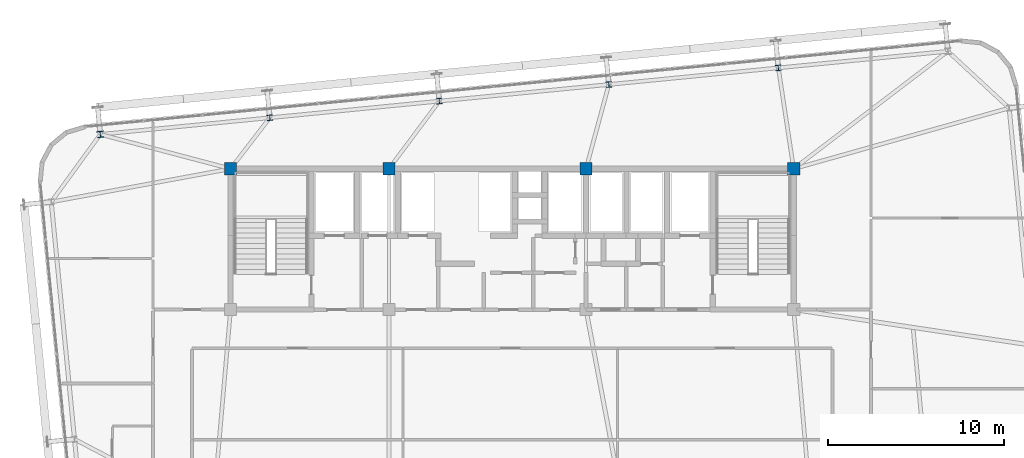
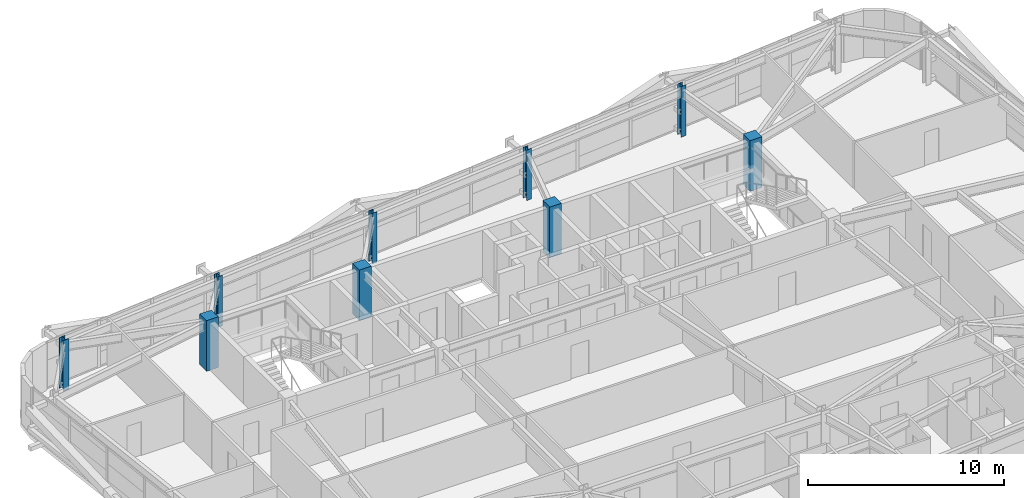
# One storey, part 3 of 54: 9 columns.
"""IFC4 building model written with IfcOpenShell, lengths in metres."""

import ifcopenshell
import ifcopenshell.guid

model = None  # the IFC model being written
_history = None  # IfcOwnerHistory: only IFC2X3 demands one
_inside = {}  # id of a spatial element -> (the spatial element, [elements in it])
_under = {}  # id of a project, library or spatial element -> (it, [spatial elements below it])
_declared = {}  # id of a project -> (the project, [libraries it declares])
_typed = {}  # id of a type object -> (the type object, [elements of that type])
_made_of = {}  # id of a material, layer set ... -> (it, [elements and type objects made of it])


def new_model(schema):
    """Start an empty IFC model of exactly this schema.

    Asked for "IFC4X3", IfcOpenShell would pick the latest addendum, in which some entities
    have other attributes; the version numbers below select the first issue.
    IFC2X3 requires an IfcOwnerHistory on every rooted entity: one is made here for all.
    """
    global model, _history
    if schema == "IFC4X3":
        model = ifcopenshell.file(schema_version=(4, 3, 0, 0))
    else:
        model = ifcopenshell.file(schema=schema)
    _inside.clear()
    _under.clear()
    _declared.clear()
    _typed.clear()
    _made_of.clear()
    _history = None
    if model.schema == "IFC2X3":
        org = make("IfcOrganization", Name="unknown")
        user = make(
            "IfcPersonAndOrganization",
            ThePerson=make("IfcPerson", FamilyName="unknown"),
            TheOrganization=org,
        )
        app = make(
            "IfcApplication",
            ApplicationDeveloper=org,
            Version="unknown",
            ApplicationFullName="unknown",
            ApplicationIdentifier="unknown",
        )
        _history = make(
            "IfcOwnerHistory",
            OwningUser=user,
            OwningApplication=app,
            ChangeAction="ADDED",
            CreationDate=0,
        )
    return model


def make(cls, **values):
    """One entity of the class cls with the attributes given. An attribute that is None is left unset."""
    return model.create_entity(
        cls, **{name: value for name, value in values.items() if value is not None}
    )


def rooted(cls, **values):
    """An entity with a GlobalId (a new one), such as an element, a storey or a relation."""
    return make(cls, GlobalId=ifcopenshell.guid.new(), OwnerHistory=_history, **values)


def si_unit(unit_type, name, prefix=None):
    """IfcSIUnit, for example si_unit("LENGTHUNIT", "METRE", prefix="MILLI")."""
    return make("IfcSIUnit", UnitType=unit_type, Prefix=prefix, Name=name)


def assignment(units):
    """IfcUnitAssignment: the units of a project."""
    return None if units is None else make("IfcUnitAssignment", Units=units)


def point(xyz):
    """IfcCartesianPoint."""
    return None if xyz is None else make("IfcCartesianPoint", Coordinates=xyz)


def direction(xyz):
    """IfcDirection."""
    return None if xyz is None else make("IfcDirection", DirectionRatios=xyz)


def frame(location, z_axis=None, x_axis=None):
    """IfcAxis2Placement3D, a coordinate frame: its origin and axes. An axis left out is left unset."""
    return make(
        "IfcAxis2Placement3D",
        Location=point(location),
        Axis=direction(z_axis),
        RefDirection=direction(x_axis),
    )


def frame_2d(location, x_axis=None):
    """IfcAxis2Placement2D, a coordinate frame in the plane: its origin and x axis."""
    return make(
        "IfcAxis2Placement2D", Location=point(location), RefDirection=direction(x_axis)
    )


def origin():
    """The frame at (0, 0, 0) with its axes left unset."""
    return frame((0.0, 0.0, 0.0))


def origin_2d():
    """The frame at (0, 0) in the plane with its x axis left unset."""
    return frame_2d((0.0, 0.0))


def place(relative_to, where):
    """IfcLocalPlacement: puts the frame where relative to a parent placement (None: the world)."""
    return make(
        "IfcLocalPlacement", PlacementRelTo=relative_to, RelativePlacement=where
    )


def context(
    kind, dimensions, precision=None, world=None, true_north=None, identifier=None
):
    """IfcGeometricRepresentationContext, for example the 3D "Model" context."""
    return make(
        "IfcGeometricRepresentationContext",
        ContextIdentifier=identifier,
        ContextType=kind,
        CoordinateSpaceDimension=dimensions,
        Precision=precision,
        WorldCoordinateSystem=world,
        TrueNorth=true_north,
    )


def subcontext(parent, identifier, kind, view, scale=None):
    """IfcGeometricRepresentationSubContext, for example "Body" below "Model"."""
    return make(
        "IfcGeometricRepresentationSubContext",
        ContextIdentifier=identifier,
        ContextType=kind,
        ParentContext=parent,
        TargetScale=scale,
        TargetView=view,
    )


def project(units=None, contexts=None):
    """IfcProject with its units and contexts."""
    return rooted(
        "IfcProject",
        Name="project",
        RepresentationContexts=contexts,
        UnitsInContext=assignment(units),
    )


def spatial(cls, under=None, at=None, **own):
    """A site, building, storey or space (cls), placed at a placement, below another one or the project."""
    s = rooted(cls, ObjectPlacement=at, **own)
    if under is not None:
        _under.setdefault(under.id(), (under, []))[1].append(s)
    return s


def profile(cls, at=None, kind="AREA", **sizes):
    """A parametric profile (cls). Its sizes go by their IFC names, for example OverallWidth=200.0."""
    return make(cls, ProfileType=kind, Position=at, **sizes)


def rectangle(**sizes):
    """IfcRectangleProfileDef."""
    return profile("IfcRectangleProfileDef", **sizes)


def i_section(**sizes):
    """IfcIShapeProfileDef."""
    return profile("IfcIShapeProfileDef", **sizes)


def extrude(swept, where, along, depth):
    """IfcExtrudedAreaSolid: the profile swept, set in the frame where, extruded along a direction by depth."""
    return make(
        "IfcExtrudedAreaSolid",
        SweptArea=swept,
        Position=where,
        ExtrudedDirection=direction(along),
        Depth=depth,
    )


def shape(context_of_items, identifier, shape_type, items):
    """IfcShapeRepresentation: the items that make up one representation, for example the "Body"."""
    return make(
        "IfcShapeRepresentation",
        ContextOfItems=context_of_items,
        RepresentationIdentifier=identifier,
        RepresentationType=shape_type,
        Items=items,
    )


def source(mapping_origin, context_of_items, identifier, shape_type, items):
    """IfcRepresentationMap: a shape defined once, which mapped items show again and again."""
    return make(
        "IfcRepresentationMap",
        MappingOrigin=mapping_origin,
        MappedRepresentation=shape(context_of_items, identifier, shape_type, items),
    )


def transform(
    local_origin,
    x_axis=None,
    y_axis=None,
    z_axis=None,
    scale=None,
    scale2=None,
    scale3=None,
    uniform=True,
):
    """IfcCartesianTransformationOperator3D, or its non-uniform kind. x_axis, y_axis, z_axis: its Axis1, 2, 3."""
    if uniform:
        return make(
            "IfcCartesianTransformationOperator3D",
            Axis1=direction(x_axis),
            Axis2=direction(y_axis),
            LocalOrigin=point(local_origin),
            Scale=scale,
            Axis3=direction(z_axis),
        )
    return make(
        "IfcCartesianTransformationOperator3DnonUniform",
        Axis1=direction(x_axis),
        Axis2=direction(y_axis),
        LocalOrigin=point(local_origin),
        Scale=scale,
        Axis3=direction(z_axis),
        Scale2=scale2,
        Scale3=scale3,
    )


def mapped(mapping_source, mapping_target):
    """IfcMappedItem: shows the shape of a source again, moved by a transform."""
    return make(
        "IfcMappedItem", MappingSource=mapping_source, MappingTarget=mapping_target
    )


def material(Name=None, Category=None):
    """IfcMaterial."""
    return make("IfcMaterial", Name=Name, Category=Category)


def material_profile(
    of_material, cross_section, Name=None, Category=None, Priority=None
):
    """IfcMaterialProfile: a cross section and its material."""
    return make(
        "IfcMaterialProfile",
        Name=Name,
        Material=of_material,
        Profile=cross_section,
        Priority=Priority,
        Category=Category,
    )


def profile_set(profiles, Name=None, composite=None):
    """IfcMaterialProfileSet."""
    return make(
        "IfcMaterialProfileSet",
        Name=Name,
        MaterialProfiles=profiles,
        CompositeProfile=composite,
    )


def made_of(thing, what):
    """Note that an element or type object is made of a material, layer set ...; save() writes the relation."""
    if what is not None:
        _made_of.setdefault(what.id(), (what, []))[1].append(thing)
    return thing


def type_object(cls, material=None, **own):
    """A type object (cls), such as IfcWallType, which elements share."""
    return made_of(rooted(cls, **own), material)


def element(
    cls,
    number,
    at=None,
    inside=None,
    cuts=None,
    type_object=None,
    material=None,
    context=None,
    identifier="Body",
    shape_type=None,
    held_by="IfcProductDefinitionShape",
    body=None,
    shapes=None,
    **own,
):
    """One element of the class cls, such as IfcWall. Its Tag is "e" and its number.

    at: its placement. inside: the storey or other place that contains it. cuts: it is an
    opening in that element (IfcRelVoidsElement). A single representation is given by context,
    identifier, shape_type and body (its items); several are given by shapes. held_by: the class
    of the entity that holds the representations. save() writes the other relations.
    """
    e = rooted(cls, Tag="e%d" % number, ObjectPlacement=at, **own)
    if body is not None:
        shapes = [shape(context, identifier, shape_type, body)]
    if shapes is not None:
        e.Representation = make(held_by, Representations=shapes)
    if inside is not None:
        _inside.setdefault(inside.id(), (inside, []))[1].append(e)
    if cuts is not None:
        rooted(
            "IfcRelVoidsElement", RelatingBuildingElement=cuts, RelatedOpeningElement=e
        )
    if type_object is not None:
        _typed.setdefault(type_object.id(), (type_object, []))[1].append(e)
    return made_of(e, material)


def aggregate(whole, parts):
    """IfcRelAggregates: a whole, such as a stair, and the parts it consists of."""
    return rooted("IfcRelAggregates", RelatingObject=whole, RelatedObjects=parts)


def save(model, path):
    """Write the relations noted so far, then the file.

    IfcRelAggregates (storeys below a building ...), IfcRelContainedInSpatialStructure (elements
    in a storey), IfcRelDefinesByType, IfcRelAssociatesMaterial and IfcRelDeclares: one each for
    every whole, place, type object, material and project.
    """
    for whole, parts in _under.values():
        aggregate(whole, parts)
    for where, things in _inside.values():
        rooted(
            "IfcRelContainedInSpatialStructure",
            RelatedElements=things,
            RelatingStructure=where,
        )
    for kind, things in _typed.values():
        rooted("IfcRelDefinesByType", RelatedObjects=things, RelatingType=kind)
    for what, things in _made_of.values():
        rooted("IfcRelAssociatesMaterial", RelatedObjects=things, RelatingMaterial=what)
    for by, libraries in _declared.values():
        rooted("IfcRelDeclares", RelatingContext=by, RelatedDefinitions=libraries)
    model.write(path)


model = new_model("IFC4")

# Units and contexts
model_context = context("Model", 3, precision=1e-05, world=origin(), true_north=direction((0.0, 1.0)))
body_context = subcontext(model_context, "Body", "Model", "MODEL_VIEW")
ifc_project = project(units=[si_unit("LENGTHUNIT", "METRE"), si_unit("AREAUNIT", "SQUARE_METRE"), si_unit("VOLUMEUNIT", "CUBIC_METRE"), si_unit("PLANEANGLEUNIT", "RADIAN"), si_unit("MASSUNIT", "GRAM", prefix="KILO")], contexts=[model_context])

# Site, building, storey
site_placement = place(None, origin())
site = spatial("IfcSite", under=ifc_project, at=site_placement, CompositionType="ELEMENT")
building_placement = place(site_placement, origin())
building = spatial("IfcBuilding", under=site, at=building_placement, Name="Taldren Reach Tower", CompositionType="ELEMENT")
storey_placement = place(building_placement, frame((0.0, 0.0, 102.89990234375)))
storey = spatial("IfcBuildingStorey", under=building, at=storey_placement, Name="L31", CompositionType="ELEMENT", Elevation=102.89990234375)

# Columns
ifc_material_1 = material(Name="Concrete S65 (65 MPa)", Category="concrete")
ifc_material_profile_1 = material_profile(ifc_material_1, rectangle(XDim=0.699951171875, YDim=0.699951171875, at=origin_2d()), Name="RC-700x700")
ifc_profile_set_1 = profile_set([ifc_material_profile_1], Name="Concrete S65 (65 MPa)")
column_type_1 = type_object("IfcColumnType", Name="COL-RC700", PredefinedType="COLUMN", material=ifc_profile_set_1)
shared_shape_1 = source(origin(), body_context, "Body", "SweptSolid", [
    extrude(rectangle(XDim=0.699951171875, YDim=0.699951171875, at=origin_2d()), origin(), (0.0, 0.0, 1.0), 3.150146484375),
])
for number, where, z_axis, x_axis, name in (
    (1, (19.0, 32.0, 0.0), (0.0, 0.0, 1.0), (1.0, 0.0, 0.0), "Mega column MC-C5 L31"),
    (2, (28.0, 32.0, 0.0), (0.0, 0.0, 1.0), (1.0, 0.0, 0.0), "Mega column MC-C6 L31"),
    (3, (39.199951171875, 32.0, 0.0), (0.0, 0.0, 1.0), (1.0, 0.0, 0.0), "Mega column MC-C7 L31"),
    (4, (51.0, 32.0, 0.0), (0.0, 0.0, 1.0), (1.0, 0.0, 0.0), "Mega column MC-C8 L31"),
):
    element("IfcColumn", number, at=place(storey_placement, frame(where, z_axis=z_axis, x_axis=x_axis)), inside=storey, type_object=column_type_1, Name=name, PredefinedType="COLUMN", context=body_context, shape_type="MappedRepresentation", body=[
        mapped(shared_shape_1, transform((0.0, 0.0, 0.0), scale=1.0)),
    ])
ifc_material_2 = material(Name="Steel Gr 350 (350PLUS)", Category="steel")
ifc_material_profile_2 = material_profile(ifc_material_2, i_section(OverallWidth=0.35009765625, OverallDepth=0.35595703125, WebThickness=0.01806640625, FlangeThickness=0.028076171875, at=origin_2d()), Name="350WC197")
ifc_profile_set_2 = profile_set([ifc_material_profile_2], Name="Steel Gr 350 (350PLUS)")
column_type_2 = type_object("IfcColumnType", Name="COL-WC350", PredefinedType="COLUMN", material=ifc_profile_set_2)
shared_shape_2 = source(origin(), body_context, "Body", "SweptSolid", [
    extrude(i_section(OverallWidth=0.35009765625, OverallDepth=0.35595703125, WebThickness=0.01806640625, FlangeThickness=0.028076171875, at=origin_2d()), origin(), (0.0, 0.0, 1.0), 3.150146484375),
])
column_placement = place(storey_placement, frame((11.596923828125, 33.956787109375, 0.0), z_axis=(0.0, 0.0, 1.0), x_axis=(0.995227399982, 0.097582899759, 0.0)))
element("IfcColumn", 5, at=column_placement, inside=storey, type_object=column_type_2, Name="Block B2 perimeter column N1 L31", PredefinedType="COLUMN", context=body_context, shape_type="MappedRepresentation", body=[
    mapped(shared_shape_2, transform((0.0, 0.0, 0.0), scale=1.0)),
])
ifc_material_profile_3 = material_profile(ifc_material_2, i_section(OverallWidth=0.306884765625, OverallDepth=0.31494140625, WebThickness=0.011962890625, FlangeThickness=0.018798828125, at=origin_2d()), Name="310UC118")
ifc_profile_set_3 = profile_set([ifc_material_profile_3], Name="Steel Gr 350 (350PLUS)")
column_type_3 = type_object("IfcColumnType", Name="COL-UC310B", PredefinedType="COLUMN", material=ifc_profile_set_3)
shared_shape_3 = source(origin(), body_context, "Body", "SweptSolid", [
    extrude(i_section(OverallWidth=0.306884765625, OverallDepth=0.31494140625, WebThickness=0.011962890625, FlangeThickness=0.018798828125, at=origin_2d()), origin(), (0.0, 0.0, 1.0), 3.150146484375),
])
for number, where, z_axis, x_axis, name in (
    (6, (21.230712890625, 34.9013671875, 0.0), (0.0, 0.0, 1.0), (0.995227399982, 0.097582899759, 0.0), "Block B2 perimeter column N2 L31"),
    (7, (30.864501953125, 35.84619140625, 0.0), (0.0, 0.0, 1.0), (0.995227399982, 0.097582899759, 0.0), "Block B2 perimeter column N3 L31"),
    (8, (40.498291015625, 36.790771484375, 0.0), (0.0, 0.0, 1.0), (0.995227399982, 0.097582899759, 0.0), "Block B2 perimeter column N4 L31"),
    (9, (50.132080078125, 37.7353515625, 0.0), (0.0, 0.0, 1.0), (0.995227399982, 0.097582899759, 0.0), "Block B2 perimeter column N5 L31"),
):
    element("IfcColumn", number, at=place(storey_placement, frame(where, z_axis=z_axis, x_axis=x_axis)), inside=storey, type_object=column_type_3, Name=name, PredefinedType="COLUMN", context=body_context, shape_type="MappedRepresentation", body=[
        mapped(shared_shape_3, transform((0.0, 0.0, 0.0), scale=1.0)),
    ])

save(model, "model.ifc")
